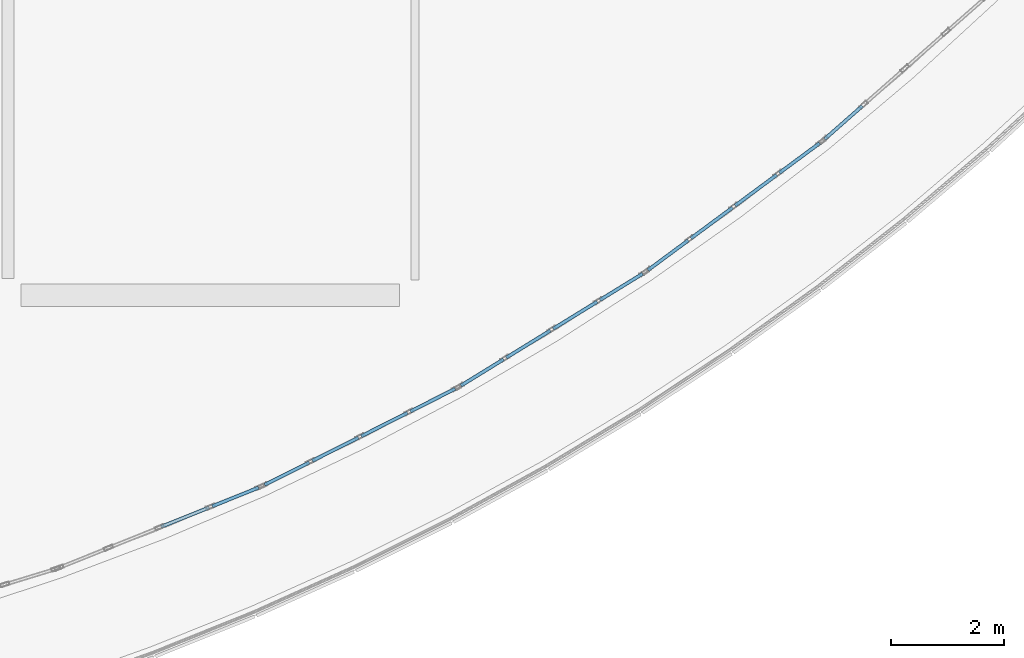
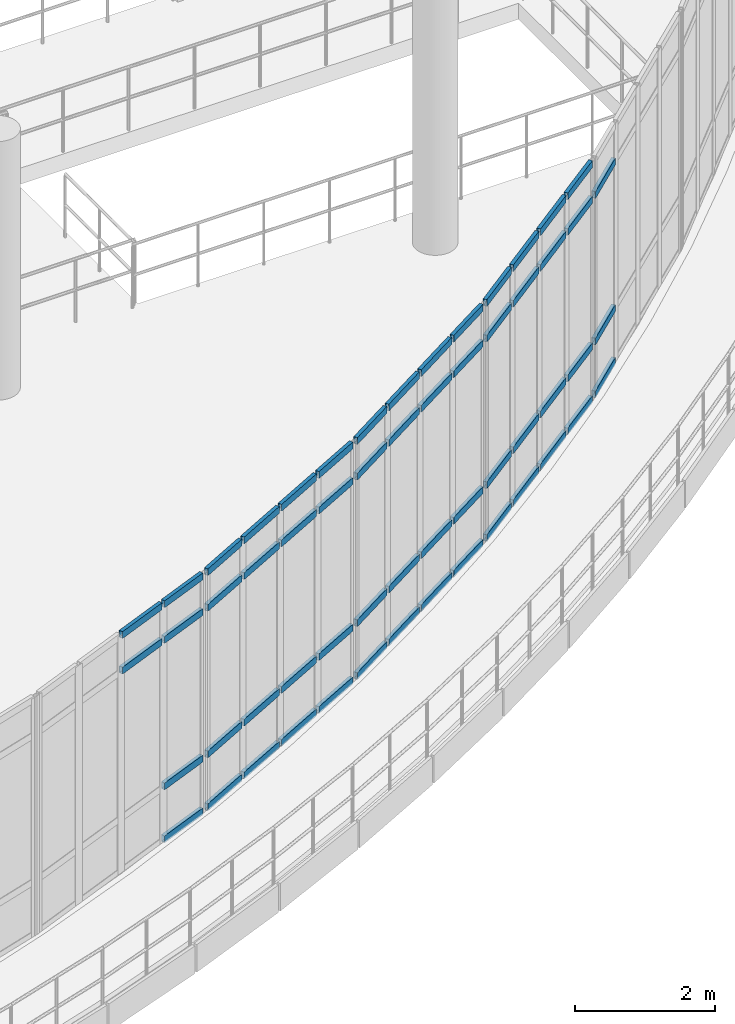
# One storey, part 80 of 116: 57 members, 5 elements without a shape of their own.
"""IFC4 building model written with IfcOpenShell, lengths in metres."""

from ifc_helpers import new_model, si_unit, direction, frame, origin, origin_2d, place, context, subcontext, project, spatial, hollow_rectangle, extrude, material, material_profile, profile_set, type_object, element, aggregate, save


model = new_model("IFC4")

# Units and contexts
model_context = context("Model", 3, precision=1e-05, world=origin(), true_north=direction((0.0, 1.0)))
body_context = subcontext(model_context, "Body", "Model", "MODEL_VIEW")
ifc_project = project(units=[si_unit("LENGTHUNIT", "METRE"), si_unit("AREAUNIT", "SQUARE_METRE"), si_unit("VOLUMEUNIT", "CUBIC_METRE"), si_unit("PLANEANGLEUNIT", "RADIAN"), si_unit("MASSUNIT", "GRAM", prefix="KILO")], contexts=[model_context])

# Site, building, storey
site_placement = place(None, origin())
site = spatial("IfcSite", under=ifc_project, at=site_placement, CompositionType="ELEMENT")
building_placement = place(site_placement, origin())
building = spatial("IfcBuilding", under=site, at=building_placement, Name="Kalluvel Institute of Natural Sciences", CompositionType="ELEMENT")
storey_placement = place(building_placement, frame((0.0, 0.0, 14.39990234375)))
storey = spatial("IfcBuildingStorey", under=building, at=storey_placement, Name="L03", CompositionType="ELEMENT", Elevation=14.39990234375)

# Curtain wall, members
ifc_material = material(Name="Aluminium AW-6063 T6", Category="aluminium")
curtain_wall_type = type_object("IfcCurtainWallType", Name="CW-ATR-ARC", PredefinedType="USERDEFINED", material=ifc_material)
curtain_wall_1_placement = place(storey_placement, origin())
curtain_wall_1 = element("IfcCurtainWall", 1, at=curtain_wall_1_placement, inside=storey, type_object=curtain_wall_type, Name="L03 Gothic lancet curtain wall CWA-L03-X509-Y596", ObjectType="UNITISED LANCET FACADE", PredefinedType="USERDEFINED")
ifc_material_profile = material_profile(ifc_material, hollow_rectangle(XDim=0.06005859375, YDim=0.1201171875, WallThickness=0.00390625, at=origin_2d()), Name="CWT 60x120")
ifc_profile_set = profile_set([ifc_material_profile], Name="Aluminium AW-6063 T6")
member_type = type_object("IfcMemberType", Name="CWT-60x120", PredefinedType="USERDEFINED", material=ifc_profile_set)
member_1_placement = place(storey_placement, frame((52.7080078125, 60.305908203125, 3.5), z_axis=(0.927922392769, 0.372773433868, 0.0), x_axis=(-0.372773433868, 0.927922392769, 0.0)))
member_1 = element("IfcMember", 2, at=member_1_placement, type_object=member_type, Name="CW-05 transom 3.3", ObjectType="TRANSOM", PredefinedType="USERDEFINED", context=body_context, shape_type="SweptSolid", body=[
    extrude(hollow_rectangle(XDim=0.06005859375, YDim=0.1201171875, WallThickness=0.00390625, at=origin_2d()), origin(), (0.0, 0.0, 1.0), 0.9130859375),
])
member_2_placement = place(storey_placement, frame((52.7080078125, 60.305908203125, 4.1201171875), z_axis=(0.927922392769, 0.372773433868, 0.0), x_axis=(-0.372773433868, 0.927922392769, 0.0)))
member_2 = element("IfcMember", 3, at=member_2_placement, type_object=member_type, Name="CW-05 transom 3.4", ObjectType="TRANSOM", PredefinedType="USERDEFINED", context=body_context, shape_type="SweptSolid", body=[
    extrude(hollow_rectangle(XDim=0.06005859375, YDim=0.1201171875, WallThickness=0.00390625, at=origin_2d()), origin(), (0.0, 0.0, 1.0), 0.9130859375),
])
member_3_placement = place(storey_placement, frame((53.61083984375, 60.668701171875, 0.030029296875), z_axis=(0.927903368235, 0.372820786999, 0.0), x_axis=(-0.372820786999, 0.927903368235, 0.0)))
member_3 = element("IfcMember", 4, at=member_3_placement, type_object=member_type, Name="CW-05 transom 4.1", ObjectType="TRANSOM", PredefinedType="USERDEFINED", context=body_context, shape_type="SweptSolid", body=[
    extrude(hollow_rectangle(XDim=0.06005859375, YDim=0.1201171875, WallThickness=0.00390625, at=origin_2d()), origin(), (0.0, 0.0, 1.0), 0.8828125),
])
member_4_placement = place(storey_placement, frame((53.61083984375, 60.668701171875, 0.9501953125), z_axis=(0.927903368235, 0.372820786999, 0.0), x_axis=(-0.372820786999, 0.927903368235, 0.0)))
member_4 = element("IfcMember", 5, at=member_4_placement, type_object=member_type, Name="CW-05 transom 4.2", ObjectType="TRANSOM", PredefinedType="USERDEFINED", context=body_context, shape_type="SweptSolid", body=[
    extrude(hollow_rectangle(XDim=0.06005859375, YDim=0.1201171875, WallThickness=0.00390625, at=origin_2d()), origin(), (0.0, 0.0, 1.0), 0.8828125),
])
member_5_placement = place(storey_placement, frame((53.61083984375, 60.668701171875, 3.5), z_axis=(0.927903368235, 0.372820786999, 0.0), x_axis=(-0.372820786999, 0.927903368235, 0.0)))
member_5 = element("IfcMember", 6, at=member_5_placement, type_object=member_type, Name="CW-05 transom 4.3", ObjectType="TRANSOM", PredefinedType="USERDEFINED", context=body_context, shape_type="SweptSolid", body=[
    extrude(hollow_rectangle(XDim=0.06005859375, YDim=0.1201171875, WallThickness=0.00390625, at=origin_2d()), origin(), (0.0, 0.0, 1.0), 0.8828125),
])
member_6_placement = place(storey_placement, frame((53.61083984375, 60.668701171875, 4.1201171875), z_axis=(0.927903368235, 0.372820786999, 0.0), x_axis=(-0.372820786999, 0.927903368235, 0.0)))
member_6 = element("IfcMember", 7, at=member_6_placement, type_object=member_type, Name="CW-05 transom 4.4", ObjectType="TRANSOM", PredefinedType="USERDEFINED", context=body_context, shape_type="SweptSolid", body=[
    extrude(hollow_rectangle(XDim=0.06005859375, YDim=0.1201171875, WallThickness=0.00390625, at=origin_2d()), origin(), (0.0, 0.0, 1.0), 0.8828125),
])
aggregate(curtain_wall_1, [member_1, member_2, member_3, member_4, member_5, member_6])

curtain_wall_2_placement = place(storey_placement, origin())
curtain_wall_2 = element("IfcCurtainWall", 8, at=curtain_wall_2_placement, inside=storey, type_object=curtain_wall_type, Name="L03 Gothic lancet curtain wall CWA-L03-X545-Y610", ObjectType="UNITISED LANCET FACADE", PredefinedType="USERDEFINED")
member_7_placement = place(storey_placement, frame((54.539306640625, 61.047119140625, 0.030029296875), z_axis=(0.892817741514, 0.450418117351, 0.0), x_axis=(-0.450418117351, 0.892817741514, 0.0)))
member_7 = element("IfcMember", 9, at=member_7_placement, type_object=member_type, Name="CW-05 transom 1.1", ObjectType="TRANSOM", PredefinedType="USERDEFINED", context=body_context, shape_type="SweptSolid", body=[
    extrude(hollow_rectangle(XDim=0.06005859375, YDim=0.1201171875, WallThickness=0.00390625, at=origin_2d()), origin(), (0.0, 0.0, 1.0), 0.883056640625),
])
member_8_placement = place(storey_placement, frame((54.539306640625, 61.047119140625, 0.9501953125), z_axis=(0.892817741514, 0.450418117351, 0.0), x_axis=(-0.450418117351, 0.892817741514, 0.0)))
member_8 = element("IfcMember", 10, at=member_8_placement, type_object=member_type, Name="CW-05 transom 1.2", ObjectType="TRANSOM", PredefinedType="USERDEFINED", context=body_context, shape_type="SweptSolid", body=[
    extrude(hollow_rectangle(XDim=0.06005859375, YDim=0.1201171875, WallThickness=0.00390625, at=origin_2d()), origin(), (0.0, 0.0, 1.0), 0.883056640625),
])
member_9_placement = place(storey_placement, frame((54.539306640625, 61.047119140625, 3.5), z_axis=(0.892817741514, 0.450418117351, 0.0), x_axis=(-0.450418117351, 0.892817741514, 0.0)))
member_9 = element("IfcMember", 11, at=member_9_placement, type_object=member_type, Name="CW-05 transom 1.3", ObjectType="TRANSOM", PredefinedType="USERDEFINED", context=body_context, shape_type="SweptSolid", body=[
    extrude(hollow_rectangle(XDim=0.06005859375, YDim=0.1201171875, WallThickness=0.00390625, at=origin_2d()), origin(), (0.0, 0.0, 1.0), 0.883056640625),
])
member_10_placement = place(storey_placement, frame((54.539306640625, 61.047119140625, 4.1201171875), z_axis=(0.892817741514, 0.450418117351, 0.0), x_axis=(-0.450418117351, 0.892817741514, 0.0)))
member_10 = element("IfcMember", 12, at=member_10_placement, type_object=member_type, Name="CW-05 transom 1.4", ObjectType="TRANSOM", PredefinedType="USERDEFINED", context=body_context, shape_type="SweptSolid", body=[
    extrude(hollow_rectangle(XDim=0.06005859375, YDim=0.1201171875, WallThickness=0.00390625, at=origin_2d()), origin(), (0.0, 0.0, 1.0), 0.883056640625),
])
member_11_placement = place(storey_placement, frame((55.38134765625, 61.4716796875, 0.030029296875), z_axis=(0.892870853528, 0.450312823402, 0.0), x_axis=(-0.450312823402, 0.892870853528, 0.0)))
member_11 = element("IfcMember", 13, at=member_11_placement, type_object=member_type, Name="CW-05 transom 2.1", ObjectType="TRANSOM", PredefinedType="USERDEFINED", context=body_context, shape_type="SweptSolid", body=[
    extrude(hollow_rectangle(XDim=0.06005859375, YDim=0.1201171875, WallThickness=0.00390625, at=origin_2d()), origin(), (0.0, 0.0, 1.0), 0.9130859375),
])
member_12_placement = place(storey_placement, frame((55.38134765625, 61.4716796875, 0.9501953125), z_axis=(0.892870853528, 0.450312823402, 0.0), x_axis=(-0.450312823402, 0.892870853528, 0.0)))
member_12 = element("IfcMember", 14, at=member_12_placement, type_object=member_type, Name="CW-05 transom 2.2", ObjectType="TRANSOM", PredefinedType="USERDEFINED", context=body_context, shape_type="SweptSolid", body=[
    extrude(hollow_rectangle(XDim=0.06005859375, YDim=0.1201171875, WallThickness=0.00390625, at=origin_2d()), origin(), (0.0, 0.0, 1.0), 0.9130859375),
])
member_13_placement = place(storey_placement, frame((55.38134765625, 61.4716796875, 3.5), z_axis=(0.892870853528, 0.450312823402, 0.0), x_axis=(-0.450312823402, 0.892870853528, 0.0)))
member_13 = element("IfcMember", 15, at=member_13_placement, type_object=member_type, Name="CW-05 transom 2.3", ObjectType="TRANSOM", PredefinedType="USERDEFINED", context=body_context, shape_type="SweptSolid", body=[
    extrude(hollow_rectangle(XDim=0.06005859375, YDim=0.1201171875, WallThickness=0.00390625, at=origin_2d()), origin(), (0.0, 0.0, 1.0), 0.9130859375),
])
member_14_placement = place(storey_placement, frame((55.38134765625, 61.4716796875, 4.1201171875), z_axis=(0.892870853528, 0.450312823402, 0.0), x_axis=(-0.450312823402, 0.892870853528, 0.0)))
member_14 = element("IfcMember", 16, at=member_14_placement, type_object=member_type, Name="CW-05 transom 2.4", ObjectType="TRANSOM", PredefinedType="USERDEFINED", context=body_context, shape_type="SweptSolid", body=[
    extrude(hollow_rectangle(XDim=0.06005859375, YDim=0.1201171875, WallThickness=0.00390625, at=origin_2d()), origin(), (0.0, 0.0, 1.0), 0.9130859375),
])
member_15_placement = place(storey_placement, frame((56.25, 61.90966796875, 0.030029296875), z_axis=(0.892870853528, 0.450312823402, 0.0), x_axis=(-0.450312823402, 0.892870853528, 0.0)))
member_15 = element("IfcMember", 17, at=member_15_placement, type_object=member_type, Name="CW-05 transom 3.1", ObjectType="TRANSOM", PredefinedType="USERDEFINED", context=body_context, shape_type="SweptSolid", body=[
    extrude(hollow_rectangle(XDim=0.06005859375, YDim=0.1201171875, WallThickness=0.00390625, at=origin_2d()), origin(), (0.0, 0.0, 1.0), 0.9130859375),
])
member_16_placement = place(storey_placement, frame((56.25, 61.90966796875, 0.9501953125), z_axis=(0.892870853528, 0.450312823402, 0.0), x_axis=(-0.450312823402, 0.892870853528, 0.0)))
member_16 = element("IfcMember", 18, at=member_16_placement, type_object=member_type, Name="CW-05 transom 3.2", ObjectType="TRANSOM", PredefinedType="USERDEFINED", context=body_context, shape_type="SweptSolid", body=[
    extrude(hollow_rectangle(XDim=0.06005859375, YDim=0.1201171875, WallThickness=0.00390625, at=origin_2d()), origin(), (0.0, 0.0, 1.0), 0.9130859375),
])
member_17_placement = place(storey_placement, frame((56.25, 61.90966796875, 3.5), z_axis=(0.892870853528, 0.450312823402, 0.0), x_axis=(-0.450312823402, 0.892870853528, 0.0)))
member_17 = element("IfcMember", 19, at=member_17_placement, type_object=member_type, Name="CW-05 transom 3.3", ObjectType="TRANSOM", PredefinedType="USERDEFINED", context=body_context, shape_type="SweptSolid", body=[
    extrude(hollow_rectangle(XDim=0.06005859375, YDim=0.1201171875, WallThickness=0.00390625, at=origin_2d()), origin(), (0.0, 0.0, 1.0), 0.9130859375),
])
member_18_placement = place(storey_placement, frame((56.25, 61.90966796875, 4.1201171875), z_axis=(0.892870853528, 0.450312823402, 0.0), x_axis=(-0.450312823402, 0.892870853528, 0.0)))
member_18 = element("IfcMember", 20, at=member_18_placement, type_object=member_type, Name="CW-05 transom 3.4", ObjectType="TRANSOM", PredefinedType="USERDEFINED", context=body_context, shape_type="SweptSolid", body=[
    extrude(hollow_rectangle(XDim=0.06005859375, YDim=0.1201171875, WallThickness=0.00390625, at=origin_2d()), origin(), (0.0, 0.0, 1.0), 0.9130859375),
])
member_19_placement = place(storey_placement, frame((57.118896484375, 62.347900390625, 0.030029296875), z_axis=(0.89292892012, 0.450197671711, 0.0), x_axis=(-0.450197671711, 0.89292892012, 0.0)))
member_19 = element("IfcMember", 21, at=member_19_placement, type_object=member_type, Name="CW-05 transom 4.1", ObjectType="TRANSOM", PredefinedType="USERDEFINED", context=body_context, shape_type="SweptSolid", body=[
    extrude(hollow_rectangle(XDim=0.06005859375, YDim=0.1201171875, WallThickness=0.00390625, at=origin_2d()), origin(), (0.0, 0.0, 1.0), 0.8828125),
])
member_20_placement = place(storey_placement, frame((57.118896484375, 62.347900390625, 0.9501953125), z_axis=(0.89292892012, 0.450197671711, 0.0), x_axis=(-0.450197671711, 0.89292892012, 0.0)))
member_20 = element("IfcMember", 22, at=member_20_placement, type_object=member_type, Name="CW-05 transom 4.2", ObjectType="TRANSOM", PredefinedType="USERDEFINED", context=body_context, shape_type="SweptSolid", body=[
    extrude(hollow_rectangle(XDim=0.06005859375, YDim=0.1201171875, WallThickness=0.00390625, at=origin_2d()), origin(), (0.0, 0.0, 1.0), 0.8828125),
])
member_21_placement = place(storey_placement, frame((57.118896484375, 62.347900390625, 3.5), z_axis=(0.89292892012, 0.450197671711, 0.0), x_axis=(-0.450197671711, 0.89292892012, 0.0)))
member_21 = element("IfcMember", 23, at=member_21_placement, type_object=member_type, Name="CW-05 transom 4.3", ObjectType="TRANSOM", PredefinedType="USERDEFINED", context=body_context, shape_type="SweptSolid", body=[
    extrude(hollow_rectangle(XDim=0.06005859375, YDim=0.1201171875, WallThickness=0.00390625, at=origin_2d()), origin(), (0.0, 0.0, 1.0), 0.8828125),
])
member_22_placement = place(storey_placement, frame((57.118896484375, 62.347900390625, 4.1201171875), z_axis=(0.89292892012, 0.450197671711, 0.0), x_axis=(-0.450197671711, 0.89292892012, 0.0)))
member_22 = element("IfcMember", 24, at=member_22_placement, type_object=member_type, Name="CW-05 transom 4.4", ObjectType="TRANSOM", PredefinedType="USERDEFINED", context=body_context, shape_type="SweptSolid", body=[
    extrude(hollow_rectangle(XDim=0.06005859375, YDim=0.1201171875, WallThickness=0.00390625, at=origin_2d()), origin(), (0.0, 0.0, 1.0), 0.8828125),
])
aggregate(curtain_wall_2, [member_7, member_8, member_9, member_10, member_11, member_12, member_13, member_14, member_15, member_16, member_17, member_18, member_19, member_20, member_21, member_22])

curtain_wall_3_placement = place(storey_placement, origin())
curtain_wall_3 = element("IfcCurtainWall", 25, at=curtain_wall_3_placement, inside=storey, type_object=curtain_wall_type, Name="L03 Gothic lancet curtain wall CWA-L03-X580-Y628", ObjectType="UNITISED LANCET FACADE", PredefinedType="USERDEFINED")
member_23_placement = place(storey_placement, frame((58.011962890625, 62.8037109375, 0.030029296875), z_axis=(0.851506354869, 0.524344283479, 0.0), x_axis=(-0.524344283479, 0.851506354869, 0.0)))
member_23 = element("IfcMember", 26, at=member_23_placement, type_object=member_type, Name="CW-05 transom 1.1", ObjectType="TRANSOM", PredefinedType="USERDEFINED", context=body_context, shape_type="SweptSolid", body=[
    extrude(hollow_rectangle(XDim=0.06005859375, YDim=0.1201171875, WallThickness=0.00390625, at=origin_2d()), origin(), (0.0, 0.0, 1.0), 0.8828125),
])
member_24_placement = place(storey_placement, frame((58.011962890625, 62.8037109375, 0.9501953125), z_axis=(0.851506354869, 0.524344283479, 0.0), x_axis=(-0.524344283479, 0.851506354869, 0.0)))
member_24 = element("IfcMember", 27, at=member_24_placement, type_object=member_type, Name="CW-05 transom 1.2", ObjectType="TRANSOM", PredefinedType="USERDEFINED", context=body_context, shape_type="SweptSolid", body=[
    extrude(hollow_rectangle(XDim=0.06005859375, YDim=0.1201171875, WallThickness=0.00390625, at=origin_2d()), origin(), (0.0, 0.0, 1.0), 0.8828125),
])
member_25_placement = place(storey_placement, frame((58.011962890625, 62.8037109375, 3.5), z_axis=(0.851506354869, 0.524344283479, 0.0), x_axis=(-0.524344283479, 0.851506354869, 0.0)))
member_25 = element("IfcMember", 28, at=member_25_placement, type_object=member_type, Name="CW-05 transom 1.3", ObjectType="TRANSOM", PredefinedType="USERDEFINED", context=body_context, shape_type="SweptSolid", body=[
    extrude(hollow_rectangle(XDim=0.06005859375, YDim=0.1201171875, WallThickness=0.00390625, at=origin_2d()), origin(), (0.0, 0.0, 1.0), 0.8828125),
])
member_26_placement = place(storey_placement, frame((58.011962890625, 62.8037109375, 4.1201171875), z_axis=(0.851506354869, 0.524344283479, 0.0), x_axis=(-0.524344283479, 0.851506354869, 0.0)))
member_26 = element("IfcMember", 29, at=member_26_placement, type_object=member_type, Name="CW-05 transom 1.4", ObjectType="TRANSOM", PredefinedType="USERDEFINED", context=body_context, shape_type="SweptSolid", body=[
    extrude(hollow_rectangle(XDim=0.06005859375, YDim=0.1201171875, WallThickness=0.00390625, at=origin_2d()), origin(), (0.0, 0.0, 1.0), 0.8828125),
])
member_27_placement = place(storey_placement, frame((58.81494140625, 63.298095703125, 0.030029296875), z_axis=(0.851465441176, 0.524410719267, 0.0), x_axis=(-0.524410719267, 0.851465441176, 0.0)))
member_27 = element("IfcMember", 30, at=member_27_placement, type_object=member_type, Name="CW-05 transom 2.1", ObjectType="TRANSOM", PredefinedType="USERDEFINED", context=body_context, shape_type="SweptSolid", body=[
    extrude(hollow_rectangle(XDim=0.06005859375, YDim=0.1201171875, WallThickness=0.00390625, at=origin_2d()), origin(), (0.0, 0.0, 1.0), 0.912841796875),
])
member_28_placement = place(storey_placement, frame((58.81494140625, 63.298095703125, 0.9501953125), z_axis=(0.851465441176, 0.524410719267, 0.0), x_axis=(-0.524410719267, 0.851465441176, 0.0)))
member_28 = element("IfcMember", 31, at=member_28_placement, type_object=member_type, Name="CW-05 transom 2.2", ObjectType="TRANSOM", PredefinedType="USERDEFINED", context=body_context, shape_type="SweptSolid", body=[
    extrude(hollow_rectangle(XDim=0.06005859375, YDim=0.1201171875, WallThickness=0.00390625, at=origin_2d()), origin(), (0.0, 0.0, 1.0), 0.912841796875),
])
member_29_placement = place(storey_placement, frame((58.81494140625, 63.298095703125, 3.5), z_axis=(0.851465441176, 0.524410719267, 0.0), x_axis=(-0.524410719267, 0.851465441176, 0.0)))
member_29 = element("IfcMember", 32, at=member_29_placement, type_object=member_type, Name="CW-05 transom 2.3", ObjectType="TRANSOM", PredefinedType="USERDEFINED", context=body_context, shape_type="SweptSolid", body=[
    extrude(hollow_rectangle(XDim=0.06005859375, YDim=0.1201171875, WallThickness=0.00390625, at=origin_2d()), origin(), (0.0, 0.0, 1.0), 0.912841796875),
])
member_30_placement = place(storey_placement, frame((58.81494140625, 63.298095703125, 4.1201171875), z_axis=(0.851465441176, 0.524410719267, 0.0), x_axis=(-0.524410719267, 0.851465441176, 0.0)))
member_30 = element("IfcMember", 33, at=member_30_placement, type_object=member_type, Name="CW-05 transom 2.4", ObjectType="TRANSOM", PredefinedType="USERDEFINED", context=body_context, shape_type="SweptSolid", body=[
    extrude(hollow_rectangle(XDim=0.06005859375, YDim=0.1201171875, WallThickness=0.00390625, at=origin_2d()), origin(), (0.0, 0.0, 1.0), 0.912841796875),
])
member_31_placement = place(storey_placement, frame((59.643310546875, 63.808349609375, 0.030029296875), z_axis=(0.851584843602, 0.52421680071, 0.0), x_axis=(-0.52421680071, 0.851584843602, 0.0)))
member_31 = element("IfcMember", 34, at=member_31_placement, type_object=member_type, Name="CW-05 transom 3.1", ObjectType="TRANSOM", PredefinedType="USERDEFINED", context=body_context, shape_type="SweptSolid", body=[
    extrude(hollow_rectangle(XDim=0.06005859375, YDim=0.1201171875, WallThickness=0.00390625, at=origin_2d()), origin(), (0.0, 0.0, 1.0), 0.912841796875),
])
member_32_placement = place(storey_placement, frame((59.643310546875, 63.808349609375, 0.9501953125), z_axis=(0.851584843602, 0.52421680071, 0.0), x_axis=(-0.52421680071, 0.851584843602, 0.0)))
member_32 = element("IfcMember", 35, at=member_32_placement, type_object=member_type, Name="CW-05 transom 3.2", ObjectType="TRANSOM", PredefinedType="USERDEFINED", context=body_context, shape_type="SweptSolid", body=[
    extrude(hollow_rectangle(XDim=0.06005859375, YDim=0.1201171875, WallThickness=0.00390625, at=origin_2d()), origin(), (0.0, 0.0, 1.0), 0.912841796875),
])
member_33_placement = place(storey_placement, frame((59.643310546875, 63.808349609375, 3.5), z_axis=(0.851584843602, 0.52421680071, 0.0), x_axis=(-0.52421680071, 0.851584843602, 0.0)))
member_33 = element("IfcMember", 36, at=member_33_placement, type_object=member_type, Name="CW-05 transom 3.3", ObjectType="TRANSOM", PredefinedType="USERDEFINED", context=body_context, shape_type="SweptSolid", body=[
    extrude(hollow_rectangle(XDim=0.06005859375, YDim=0.1201171875, WallThickness=0.00390625, at=origin_2d()), origin(), (0.0, 0.0, 1.0), 0.912841796875),
])
member_34_placement = place(storey_placement, frame((59.643310546875, 63.808349609375, 4.1201171875), z_axis=(0.851584843602, 0.52421680071, 0.0), x_axis=(-0.52421680071, 0.851584843602, 0.0)))
member_34 = element("IfcMember", 37, at=member_34_placement, type_object=member_type, Name="CW-05 transom 3.4", ObjectType="TRANSOM", PredefinedType="USERDEFINED", context=body_context, shape_type="SweptSolid", body=[
    extrude(hollow_rectangle(XDim=0.06005859375, YDim=0.1201171875, WallThickness=0.00390625, at=origin_2d()), origin(), (0.0, 0.0, 1.0), 0.912841796875),
])
member_35_placement = place(storey_placement, frame((60.471923828125, 64.318359375, 0.030029296875), z_axis=(0.851506354869, 0.524344283479, 0.0), x_axis=(-0.524344283479, 0.851506354869, 0.0)))
member_35 = element("IfcMember", 38, at=member_35_placement, type_object=member_type, Name="CW-05 transom 4.1", ObjectType="TRANSOM", PredefinedType="USERDEFINED", context=body_context, shape_type="SweptSolid", body=[
    extrude(hollow_rectangle(XDim=0.06005859375, YDim=0.1201171875, WallThickness=0.00390625, at=origin_2d()), origin(), (0.0, 0.0, 1.0), 0.8828125),
])
member_36_placement = place(storey_placement, frame((60.471923828125, 64.318359375, 0.9501953125), z_axis=(0.851506354869, 0.524344283479, 0.0), x_axis=(-0.524344283479, 0.851506354869, 0.0)))
member_36 = element("IfcMember", 39, at=member_36_placement, type_object=member_type, Name="CW-05 transom 4.2", ObjectType="TRANSOM", PredefinedType="USERDEFINED", context=body_context, shape_type="SweptSolid", body=[
    extrude(hollow_rectangle(XDim=0.06005859375, YDim=0.1201171875, WallThickness=0.00390625, at=origin_2d()), origin(), (0.0, 0.0, 1.0), 0.8828125),
])
member_37_placement = place(storey_placement, frame((60.471923828125, 64.318359375, 3.5), z_axis=(0.851506354869, 0.524344283479, 0.0), x_axis=(-0.524344283479, 0.851506354869, 0.0)))
member_37 = element("IfcMember", 40, at=member_37_placement, type_object=member_type, Name="CW-05 transom 4.3", ObjectType="TRANSOM", PredefinedType="USERDEFINED", context=body_context, shape_type="SweptSolid", body=[
    extrude(hollow_rectangle(XDim=0.06005859375, YDim=0.1201171875, WallThickness=0.00390625, at=origin_2d()), origin(), (0.0, 0.0, 1.0), 0.8828125),
])
member_38_placement = place(storey_placement, frame((60.471923828125, 64.318359375, 4.1201171875), z_axis=(0.851506354869, 0.524344283479, 0.0), x_axis=(-0.524344283479, 0.851506354869, 0.0)))
member_38 = element("IfcMember", 41, at=member_38_placement, type_object=member_type, Name="CW-05 transom 4.4", ObjectType="TRANSOM", PredefinedType="USERDEFINED", context=body_context, shape_type="SweptSolid", body=[
    extrude(hollow_rectangle(XDim=0.06005859375, YDim=0.1201171875, WallThickness=0.00390625, at=origin_2d()), origin(), (0.0, 0.0, 1.0), 0.8828125),
])
aggregate(curtain_wall_3, [member_23, member_24, member_25, member_26, member_27, member_28, member_29, member_30, member_31, member_32, member_33, member_34, member_35, member_36, member_37, member_38])

curtain_wall_4_placement = place(storey_placement, origin())
curtain_wall_4 = element("IfcCurtainWall", 42, at=curtain_wall_4_placement, inside=storey, type_object=curtain_wall_type, Name="L03 Gothic lancet curtain wall CWA-L03-X613-Y648", ObjectType="UNITISED LANCET FACADE", PredefinedType="USERDEFINED")
member_39_placement = place(storey_placement, frame((61.322998046875, 64.848388671875, 0.030029296875), z_axis=(0.803963501774, 0.594678642474, 0.0), x_axis=(-0.594678642474, 0.803963501774, 0.0)))
member_39 = element("IfcMember", 43, at=member_39_placement, type_object=member_type, Name="CW-05 transom 1.1", ObjectType="TRANSOM", PredefinedType="USERDEFINED", context=body_context, shape_type="SweptSolid", body=[
    extrude(hollow_rectangle(XDim=0.06005859375, YDim=0.1201171875, WallThickness=0.00390625, at=origin_2d()), origin(), (0.0, 0.0, 1.0), 0.883056640625),
])
member_40_placement = place(storey_placement, frame((61.322998046875, 64.848388671875, 0.9501953125), z_axis=(0.803963501774, 0.594678642474, 0.0), x_axis=(-0.594678642474, 0.803963501774, 0.0)))
member_40 = element("IfcMember", 44, at=member_40_placement, type_object=member_type, Name="CW-05 transom 1.2", ObjectType="TRANSOM", PredefinedType="USERDEFINED", context=body_context, shape_type="SweptSolid", body=[
    extrude(hollow_rectangle(XDim=0.06005859375, YDim=0.1201171875, WallThickness=0.00390625, at=origin_2d()), origin(), (0.0, 0.0, 1.0), 0.883056640625),
])
member_41_placement = place(storey_placement, frame((61.322998046875, 64.848388671875, 3.5), z_axis=(0.803963501774, 0.594678642474, 0.0), x_axis=(-0.594678642474, 0.803963501774, 0.0)))
member_41 = element("IfcMember", 45, at=member_41_placement, type_object=member_type, Name="CW-05 transom 1.3", ObjectType="TRANSOM", PredefinedType="USERDEFINED", context=body_context, shape_type="SweptSolid", body=[
    extrude(hollow_rectangle(XDim=0.06005859375, YDim=0.1201171875, WallThickness=0.00390625, at=origin_2d()), origin(), (0.0, 0.0, 1.0), 0.883056640625),
])
member_42_placement = place(storey_placement, frame((61.322998046875, 64.848388671875, 4.1201171875), z_axis=(0.803963501774, 0.594678642474, 0.0), x_axis=(-0.594678642474, 0.803963501774, 0.0)))
member_42 = element("IfcMember", 46, at=member_42_placement, type_object=member_type, Name="CW-05 transom 1.4", ObjectType="TRANSOM", PredefinedType="USERDEFINED", context=body_context, shape_type="SweptSolid", body=[
    extrude(hollow_rectangle(XDim=0.06005859375, YDim=0.1201171875, WallThickness=0.00390625, at=origin_2d()), origin(), (0.0, 0.0, 1.0), 0.883056640625),
])
member_43_placement = place(storey_placement, frame((62.081298828125, 65.4091796875, 0.030029296875), z_axis=(0.803898160531, 0.594766969069, 0.0), x_axis=(-0.594766969069, 0.803898160531, 0.0)))
member_43 = element("IfcMember", 47, at=member_43_placement, type_object=member_type, Name="CW-05 transom 2.1", ObjectType="TRANSOM", PredefinedType="USERDEFINED", context=body_context, shape_type="SweptSolid", body=[
    extrude(hollow_rectangle(XDim=0.06005859375, YDim=0.1201171875, WallThickness=0.00390625, at=origin_2d()), origin(), (0.0, 0.0, 1.0), 0.912841796875),
])
member_44_placement = place(storey_placement, frame((62.081298828125, 65.4091796875, 0.9501953125), z_axis=(0.803898160531, 0.594766969069, 0.0), x_axis=(-0.594766969069, 0.803898160531, 0.0)))
member_44 = element("IfcMember", 48, at=member_44_placement, type_object=member_type, Name="CW-05 transom 2.2", ObjectType="TRANSOM", PredefinedType="USERDEFINED", context=body_context, shape_type="SweptSolid", body=[
    extrude(hollow_rectangle(XDim=0.06005859375, YDim=0.1201171875, WallThickness=0.00390625, at=origin_2d()), origin(), (0.0, 0.0, 1.0), 0.912841796875),
])
member_45_placement = place(storey_placement, frame((62.081298828125, 65.4091796875, 3.5), z_axis=(0.803898160531, 0.594766969069, 0.0), x_axis=(-0.594766969069, 0.803898160531, 0.0)))
member_45 = element("IfcMember", 49, at=member_45_placement, type_object=member_type, Name="CW-05 transom 2.3", ObjectType="TRANSOM", PredefinedType="USERDEFINED", context=body_context, shape_type="SweptSolid", body=[
    extrude(hollow_rectangle(XDim=0.06005859375, YDim=0.1201171875, WallThickness=0.00390625, at=origin_2d()), origin(), (0.0, 0.0, 1.0), 0.912841796875),
])
member_46_placement = place(storey_placement, frame((62.081298828125, 65.4091796875, 4.1201171875), z_axis=(0.803898160531, 0.594766969069, 0.0), x_axis=(-0.594766969069, 0.803898160531, 0.0)))
member_46 = element("IfcMember", 50, at=member_46_placement, type_object=member_type, Name="CW-05 transom 2.4", ObjectType="TRANSOM", PredefinedType="USERDEFINED", context=body_context, shape_type="SweptSolid", body=[
    extrude(hollow_rectangle(XDim=0.06005859375, YDim=0.1201171875, WallThickness=0.00390625, at=origin_2d()), origin(), (0.0, 0.0, 1.0), 0.912841796875),
])
member_47_placement = place(storey_placement, frame((62.863525390625, 65.98779296875, 0.030029296875), z_axis=(0.803898160531, 0.594766969069, 0.0), x_axis=(-0.594766969069, 0.803898160531, 0.0)))
member_47 = element("IfcMember", 51, at=member_47_placement, type_object=member_type, Name="CW-05 transom 3.1", ObjectType="TRANSOM", PredefinedType="USERDEFINED", context=body_context, shape_type="SweptSolid", body=[
    extrude(hollow_rectangle(XDim=0.06005859375, YDim=0.1201171875, WallThickness=0.00390625, at=origin_2d()), origin(), (0.0, 0.0, 1.0), 0.912841796875),
])
member_48_placement = place(storey_placement, frame((62.863525390625, 65.98779296875, 0.9501953125), z_axis=(0.803898160531, 0.594766969069, 0.0), x_axis=(-0.594766969069, 0.803898160531, 0.0)))
member_48 = element("IfcMember", 52, at=member_48_placement, type_object=member_type, Name="CW-05 transom 3.2", ObjectType="TRANSOM", PredefinedType="USERDEFINED", context=body_context, shape_type="SweptSolid", body=[
    extrude(hollow_rectangle(XDim=0.06005859375, YDim=0.1201171875, WallThickness=0.00390625, at=origin_2d()), origin(), (0.0, 0.0, 1.0), 0.912841796875),
])
member_49_placement = place(storey_placement, frame((62.863525390625, 65.98779296875, 3.5), z_axis=(0.803898160531, 0.594766969069, 0.0), x_axis=(-0.594766969069, 0.803898160531, 0.0)))
member_49 = element("IfcMember", 53, at=member_49_placement, type_object=member_type, Name="CW-05 transom 3.3", ObjectType="TRANSOM", PredefinedType="USERDEFINED", context=body_context, shape_type="SweptSolid", body=[
    extrude(hollow_rectangle(XDim=0.06005859375, YDim=0.1201171875, WallThickness=0.00390625, at=origin_2d()), origin(), (0.0, 0.0, 1.0), 0.912841796875),
])
member_50_placement = place(storey_placement, frame((62.863525390625, 65.98779296875, 4.1201171875), z_axis=(0.803898160531, 0.594766969069, 0.0), x_axis=(-0.594766969069, 0.803898160531, 0.0)))
member_50 = element("IfcMember", 54, at=member_50_placement, type_object=member_type, Name="CW-05 transom 3.4", ObjectType="TRANSOM", PredefinedType="USERDEFINED", context=body_context, shape_type="SweptSolid", body=[
    extrude(hollow_rectangle(XDim=0.06005859375, YDim=0.1201171875, WallThickness=0.00390625, at=origin_2d()), origin(), (0.0, 0.0, 1.0), 0.912841796875),
])
member_51_placement = place(storey_placement, frame((63.645751953125, 66.56640625, 0.030029296875), z_axis=(0.804095682075, 0.594499902497, 0.0), x_axis=(-0.594499902497, 0.804095682075, 0.0)))
member_51 = element("IfcMember", 55, at=member_51_placement, type_object=member_type, Name="CW-05 transom 4.1", ObjectType="TRANSOM", PredefinedType="USERDEFINED", context=body_context, shape_type="SweptSolid", body=[
    extrude(hollow_rectangle(XDim=0.06005859375, YDim=0.1201171875, WallThickness=0.00390625, at=origin_2d()), origin(), (0.0, 0.0, 1.0), 0.8828125),
])
member_52_placement = place(storey_placement, frame((63.645751953125, 66.56640625, 0.9501953125), z_axis=(0.804095682075, 0.594499902497, 0.0), x_axis=(-0.594499902497, 0.804095682075, 0.0)))
member_52 = element("IfcMember", 56, at=member_52_placement, type_object=member_type, Name="CW-05 transom 4.2", ObjectType="TRANSOM", PredefinedType="USERDEFINED", context=body_context, shape_type="SweptSolid", body=[
    extrude(hollow_rectangle(XDim=0.06005859375, YDim=0.1201171875, WallThickness=0.00390625, at=origin_2d()), origin(), (0.0, 0.0, 1.0), 0.8828125),
])
member_53_placement = place(storey_placement, frame((63.645751953125, 66.56640625, 3.5), z_axis=(0.804095682075, 0.594499902497, 0.0), x_axis=(-0.594499902497, 0.804095682075, 0.0)))
member_53 = element("IfcMember", 57, at=member_53_placement, type_object=member_type, Name="CW-05 transom 4.3", ObjectType="TRANSOM", PredefinedType="USERDEFINED", context=body_context, shape_type="SweptSolid", body=[
    extrude(hollow_rectangle(XDim=0.06005859375, YDim=0.1201171875, WallThickness=0.00390625, at=origin_2d()), origin(), (0.0, 0.0, 1.0), 0.8828125),
])
member_54_placement = place(storey_placement, frame((63.645751953125, 66.56640625, 4.1201171875), z_axis=(0.804095682075, 0.594499902497, 0.0), x_axis=(-0.594499902497, 0.804095682075, 0.0)))
member_54 = element("IfcMember", 58, at=member_54_placement, type_object=member_type, Name="CW-05 transom 4.4", ObjectType="TRANSOM", PredefinedType="USERDEFINED", context=body_context, shape_type="SweptSolid", body=[
    extrude(hollow_rectangle(XDim=0.06005859375, YDim=0.1201171875, WallThickness=0.00390625, at=origin_2d()), origin(), (0.0, 0.0, 1.0), 0.8828125),
])
aggregate(curtain_wall_4, [member_39, member_40, member_41, member_42, member_43, member_44, member_45, member_46, member_47, member_48, member_49, member_50, member_51, member_52, member_53, member_54])

curtain_wall_5_placement = place(storey_placement, origin())
curtain_wall_5 = element("IfcCurtainWall", 59, at=curtain_wall_5_placement, inside=storey, type_object=curtain_wall_type, Name="L03 Gothic lancet curtain wall CWA-L03-X644-Y671", ObjectType="UNITISED LANCET FACADE", PredefinedType="USERDEFINED")
member_55_placement = place(storey_placement, frame((64.448974609375, 67.166748046875, 0.030029296875), z_axis=(0.750740943472, 0.660596727055, 0.0), x_axis=(-0.660596727055, 0.750740943472, 0.0)))
member_55 = element("IfcMember", 60, at=member_55_placement, type_object=member_type, Name="CW-05 transom 1.1", ObjectType="TRANSOM", PredefinedType="USERDEFINED", context=body_context, shape_type="SweptSolid", body=[
    extrude(hollow_rectangle(XDim=0.06005859375, YDim=0.1201171875, WallThickness=0.00390625, at=origin_2d()), origin(), (0.0, 0.0, 1.0), 0.8828125),
])
member_56_placement = place(storey_placement, frame((64.448974609375, 67.166748046875, 0.9501953125), z_axis=(0.750740943472, 0.660596727055, 0.0), x_axis=(-0.660596727055, 0.750740943472, 0.0)))
member_56 = element("IfcMember", 61, at=member_56_placement, type_object=member_type, Name="CW-05 transom 1.2", ObjectType="TRANSOM", PredefinedType="USERDEFINED", context=body_context, shape_type="SweptSolid", body=[
    extrude(hollow_rectangle(XDim=0.06005859375, YDim=0.1201171875, WallThickness=0.00390625, at=origin_2d()), origin(), (0.0, 0.0, 1.0), 0.8828125),
])
member_57_placement = place(storey_placement, frame((64.448974609375, 67.166748046875, 3.5), z_axis=(0.750740943472, 0.660596727055, 0.0), x_axis=(-0.660596727055, 0.750740943472, 0.0)))
member_57 = element("IfcMember", 62, at=member_57_placement, type_object=member_type, Name="CW-05 transom 1.3", ObjectType="TRANSOM", PredefinedType="USERDEFINED", context=body_context, shape_type="SweptSolid", body=[
    extrude(hollow_rectangle(XDim=0.06005859375, YDim=0.1201171875, WallThickness=0.00390625, at=origin_2d()), origin(), (0.0, 0.0, 1.0), 0.8828125),
])
aggregate(curtain_wall_5, [member_55, member_56, member_57])

save(model, "model.ifc")
